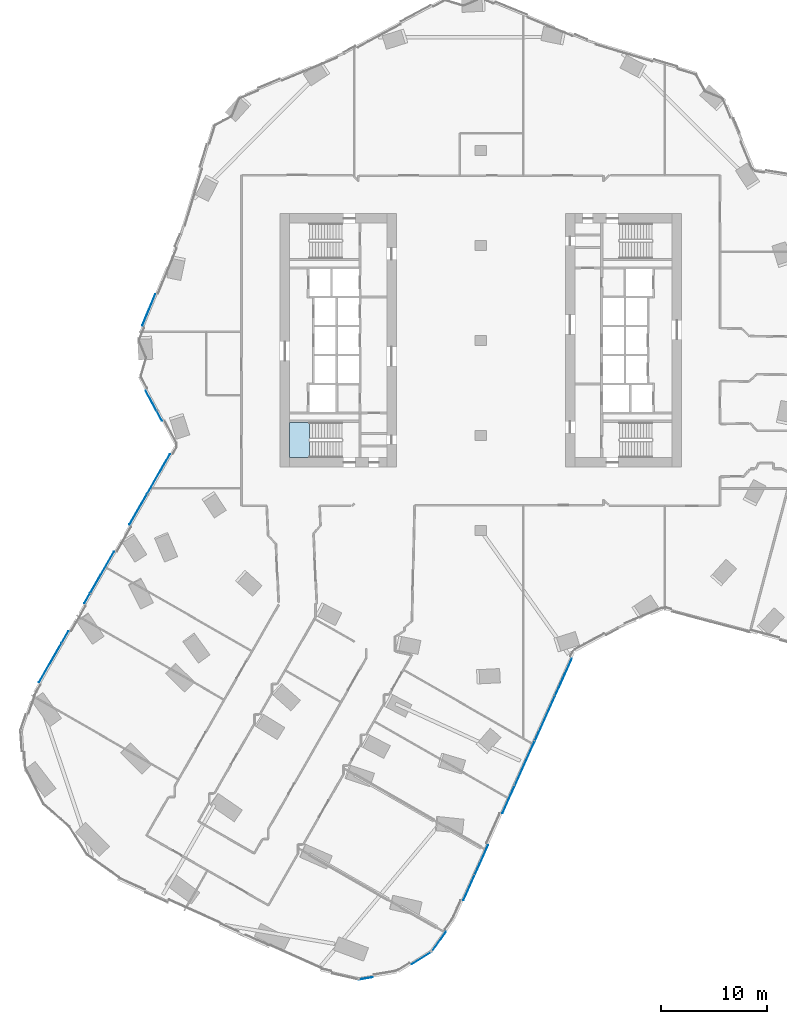
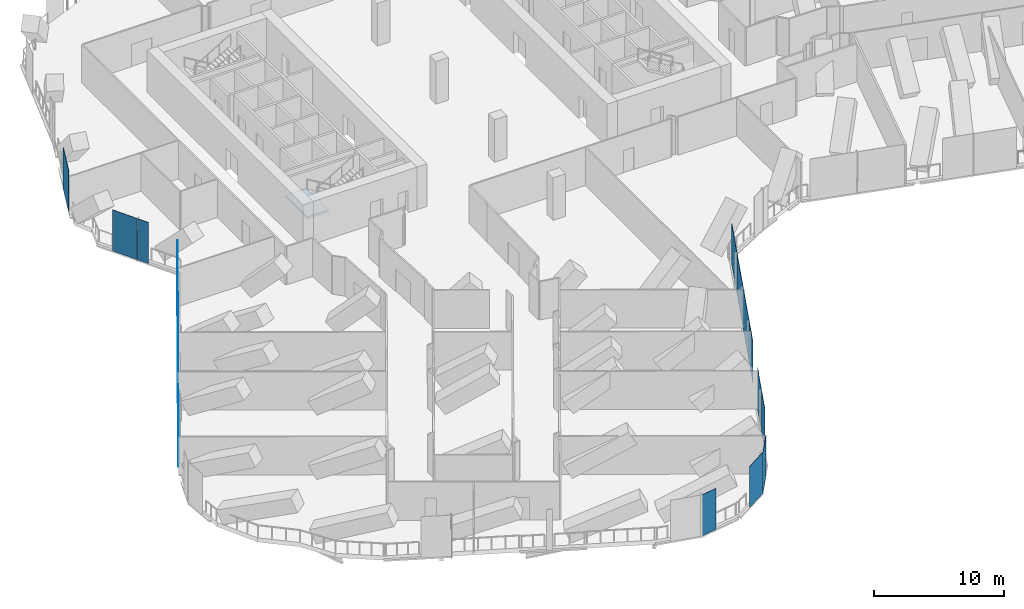
# One storey, part 19 of 37: 18 plates, 1 slab, 8 elements without a shape of their own.
"""IFC4 building model written with IfcOpenShell, lengths in metres."""

from ifc_helpers import new_model, si_unit, direction, frame, origin, origin_2d, place, context, subcontext, project, spatial, polyline, rectangle, outline, extrude, material, layer, layer_set, type_object, element, aggregate, save


model = new_model("IFC4")

# Units and contexts
model_context = context("Model", 3, precision=1e-05, world=origin(), true_north=direction((0.0, 1.0)))
body_context = subcontext(model_context, "Body", "Model", "MODEL_VIEW")
ifc_project = project(units=[si_unit("LENGTHUNIT", "METRE"), si_unit("AREAUNIT", "SQUARE_METRE"), si_unit("VOLUMEUNIT", "CUBIC_METRE"), si_unit("PLANEANGLEUNIT", "RADIAN"), si_unit("MASSUNIT", "GRAM", prefix="KILO")], contexts=[model_context])

# Site, building, storey
site_placement = place(None, origin())
site = spatial("IfcSite", under=ifc_project, at=site_placement, CompositionType="ELEMENT")
building_placement = place(site_placement, origin())
building = spatial("IfcBuilding", under=site, at=building_placement, Name="Orlundy Tower", CompositionType="ELEMENT")
storey_placement = place(building_placement, frame((0.0, 0.0, 119.699951171875)))
storey = spatial("IfcBuildingStorey", under=building, at=storey_placement, Name="L30", CompositionType="ELEMENT", Elevation=119.699951171875)

# Curtain wall, plate
ifc_material_1 = material(Name="Aluminium bronze anodised", Category="aluminium")
curtain_wall_type = type_object("IfcCurtainWallType", Name="CW5 wall", PredefinedType="NOTDEFINED", material=ifc_material_1)
curtain_wall_1_placement = place(storey_placement, origin())
curtain_wall_1 = element("IfcCurtainWall", 1, at=curtain_wall_1_placement, inside=storey, type_object=curtain_wall_type, Name="CW5 run 02", PredefinedType="NOTDEFINED")
ifc_material_2 = material(Name="Tinted glass", Category="glass")
ifc_layer_1 = layer(ifc_material_2, 0.031982421875)
ifc_layer_set_1 = layer_set([ifc_layer_1], Name="CW5 glass panel 32")
plate_type_1 = type_object("IfcPlateType", Name="CW5 glass panel 32", PredefinedType="CURTAIN_PANEL", material=ifc_layer_set_1)
plate_1_placement = place(storey_placement, frame((-31.439208984375, 2.904052734375, -0.259765625), z_axis=(0.0, 0.0, 1.0), x_axis=(0.379977498994, 0.924995729859, 0.0)))
plate_1 = element("IfcPlate", 2, at=plate_1_placement, type_object=plate_type_1, Name="CW5 panel", PredefinedType="CURTAIN_PANEL", context=body_context, shape_type="SweptSolid", body=[
    extrude(rectangle(XDim=3.20361328125, YDim=0.031982421875, at=origin_2d()), origin(), (0.0, 0.0, 1.0), 3.860107421875),
])
aggregate(curtain_wall_1, [plate_1])

# Curtain wall, plates
curtain_wall_2_placement = place(storey_placement, origin())
curtain_wall_2 = element("IfcCurtainWall", 3, at=curtain_wall_2_placement, inside=storey, type_object=curtain_wall_type, Name="CW5 run 030", PredefinedType="NOTDEFINED")
plate_2_placement = place(storey_placement, frame((7.81494140625, -31.886474609375, -0.259765625), z_axis=(0.0, 0.0, 1.0), x_axis=(-0.409405171428, -0.912352676112, 0.0)))
plate_2 = element("IfcPlate", 4, at=plate_2_placement, type_object=plate_type_1, Name="CW5 panel", PredefinedType="CURTAIN_PANEL", context=body_context, shape_type="SweptSolid", body=[
    extrude(rectangle(XDim=3.858154296875, YDim=0.031982421875, at=origin_2d()), origin(), (0.0, 0.0, 1.0), 3.860107421875),
])
plate_3_placement = place(storey_placement, frame((6.067138671875, -35.781494140625, -0.259765625), z_axis=(0.0, 0.0, 1.0), x_axis=(-0.409405171428, -0.912352676112, 0.0)))
plate_3 = element("IfcPlate", 5, at=plate_3_placement, type_object=plate_type_1, Name="CW5 panel", PredefinedType="CURTAIN_PANEL", context=body_context, shape_type="SweptSolid", body=[
    extrude(rectangle(XDim=4.580810546875, YDim=0.031982421875, at=origin_2d()), origin(), (0.0, 0.0, 1.0), 3.860107421875),
])
plate_4_placement = place(storey_placement, frame((2.629150390625, -43.44287109375, -0.259765625), z_axis=(0.0, 0.0, 1.0), x_axis=(-0.409405171428, -0.912352676112, 0.0)))
plate_4 = element("IfcPlate", 6, at=plate_4_placement, type_object=plate_type_1, Name="CW5 panel", PredefinedType="CURTAIN_PANEL", context=body_context, shape_type="SweptSolid", body=[
    extrude(rectangle(XDim=2.8525390625, YDim=0.031982421875, at=origin_2d()), origin(), (0.0, 0.0, 1.0), 3.860107421875),
])
plate_5_placement = place(storey_placement, frame((0.057373046875, -49.174072265625, -0.259765625), z_axis=(0.0, 0.0, 1.0), x_axis=(-0.409405171428, -0.912352676112, 0.0)))
plate_5 = element("IfcPlate", 7, at=plate_5_placement, type_object=plate_type_1, Name="CW5 panel", PredefinedType="CURTAIN_PANEL", context=body_context, shape_type="SweptSolid", body=[
    extrude(rectangle(XDim=3.006591796875, YDim=0.031982421875, at=origin_2d()), origin(), (0.0, 0.0, 1.0), 3.860107421875),
])

# Curtain wall, plate
curtain_wall_3_placement = place(storey_placement, origin())
curtain_wall_3 = element("IfcCurtainWall", 8, at=curtain_wall_3_placement, inside=storey, type_object=curtain_wall_type, Name="CW5 run 031", PredefinedType="NOTDEFINED")
plate_6_placement = place(storey_placement, frame((-3.985107421875, -56.938720703125, -0.259765625), z_axis=(0.0, 0.0, 1.0), x_axis=(-0.579476006313, -0.814989299383, 0.0)))
plate_6 = element("IfcPlate", 9, at=plate_6_placement, type_object=plate_type_1, Name="CW5 panel", PredefinedType="CURTAIN_PANEL", context=body_context, shape_type="SweptSolid", body=[
    extrude(rectangle(XDim=2.299072265625, YDim=0.031982421875, at=origin_2d()), origin(), (0.0, 0.0, 1.0), 3.860107421875),
])
aggregate(curtain_wall_3, [plate_6])

curtain_wall_4_placement = place(storey_placement, origin())
curtain_wall_4 = element("IfcCurtainWall", 10, at=curtain_wall_4_placement, inside=storey, type_object=curtain_wall_type, Name="CW5 run 032", PredefinedType="NOTDEFINED")
plate_7_placement = place(storey_placement, frame((-5.59326171875, -58.466064453125, -0.259765625), z_axis=(0.0, 0.0, 1.0), x_axis=(-0.847285276564, -0.531138080086, 0.0)))
plate_7 = element("IfcPlate", 11, at=plate_7_placement, type_object=plate_type_1, Name="CW5 panel", PredefinedType="CURTAIN_PANEL", context=body_context, shape_type="SweptSolid", body=[
    extrude(rectangle(XDim=2.2236328125, YDim=0.031982421875, at=origin_2d()), origin(), (0.0, 0.0, 1.0), 3.860107421875),
])
aggregate(curtain_wall_4, [plate_7])

# Curtain wall, plates
curtain_wall_5_placement = place(storey_placement, origin())
curtain_wall_5 = element("IfcCurtainWall", 12, at=curtain_wall_5_placement, inside=storey, type_object=curtain_wall_type, Name="CW5 run 042", PredefinedType="NOTDEFINED")
plate_8_placement = place(storey_placement, frame((-39.362060546875, -28.065185546875, -0.259765625), z_axis=(0.0, 0.0, 1.0), x_axis=(0.497473332708, 0.867479269634, 0.0)))
plate_8 = element("IfcPlate", 13, at=plate_8_placement, type_object=plate_type_1, Name="CW5 panel", PredefinedType="CURTAIN_PANEL", context=body_context, shape_type="SweptSolid", body=[
    extrude(rectangle(XDim=1.251953125, YDim=0.031982421875, at=origin_2d()), origin(), (0.0, 0.0, 1.0), 3.860107421875),
])
plate_9_placement = place(storey_placement, frame((-37.27001953125, -24.417236328125, -0.259765625), z_axis=(0.0, 0.0, 1.0), x_axis=(0.497473332708, 0.867479269634, 0.0)))
plate_9 = element("IfcPlate", 14, at=plate_9_placement, type_object=plate_type_1, Name="CW5 panel", PredefinedType="CURTAIN_PANEL", context=body_context, shape_type="SweptSolid", body=[
    extrude(rectangle(XDim=1.079833984375, YDim=0.031982421875, at=origin_2d()), origin(), (0.0, 0.0, 1.0), 3.860107421875),
])
plate_10_placement = place(storey_placement, frame((-35.856201171875, -21.951904296875, -0.259765625), z_axis=(0.0, 0.0, 1.0), x_axis=(0.497473332708, 0.867479269634, 0.0)))
plate_10 = element("IfcPlate", 15, at=plate_10_placement, type_object=plate_type_1, Name="CW5 panel", PredefinedType="CURTAIN_PANEL", context=body_context, shape_type="SweptSolid", body=[
    extrude(rectangle(XDim=4.50439453125, YDim=0.031982421875, at=origin_2d()), origin(), (0.0, 0.0, 1.0), 3.860107421875),
])
plate_11_placement = place(storey_placement, frame((-30.51123046875, -12.631591796875, -0.259765625), z_axis=(0.0, 0.0, 1.0), x_axis=(0.497473332708, 0.867479269634, 0.0)))
plate_11 = element("IfcPlate", 16, at=plate_11_placement, type_object=plate_type_1, Name="CW5 panel", PredefinedType="CURTAIN_PANEL", context=body_context, shape_type="SweptSolid", body=[
    extrude(rectangle(XDim=4.30859375, YDim=0.031982421875, at=origin_2d()), origin(), (0.0, 0.0, 1.0), 3.860107421875),
])

# Curtain wall, plate
curtain_wall_6_placement = place(storey_placement, origin())
curtain_wall_6 = element("IfcCurtainWall", 17, at=curtain_wall_6_placement, inside=storey, type_object=curtain_wall_type, Name="CW5 run 043", PredefinedType="NOTDEFINED")
plate_12_placement = place(storey_placement, frame((-30.43359375, -7.15625, -0.259765625), z_axis=(0.0, 0.0, 1.0), x_axis=(-0.474639617623, 0.880180227785, 0.0)))
plate_12 = element("IfcPlate", 18, at=plate_12_placement, type_object=plate_type_1, Name="CW5 panel", PredefinedType="CURTAIN_PANEL", context=body_context, shape_type="SweptSolid", body=[
    extrude(rectangle(XDim=1.002685546875, YDim=0.031982421875, at=origin_2d()), origin(), (0.0, 0.0, 1.0), 3.860107421875),
])

# Plate
ifc_material_3 = material(Name="Tinted glass", Category="glass")
ifc_layer_2 = layer(ifc_material_3, 0.031982421875)
ifc_layer_set_2 = layer_set([ifc_layer_2], Name="CW5 vent panel 32")
plate_type_2 = type_object("IfcPlateType", Name="CW5 vent panel 32", PredefinedType="CURTAIN_PANEL", material=ifc_layer_set_2)
plate_13_placement = place(storey_placement, frame((4.17138671875, -40.00634765625, -0.259765625), z_axis=(0.0, 0.0, 1.0), x_axis=(-0.409405171428, -0.912352676112, 0.0)))
plate_13 = element("IfcPlate", 19, at=plate_13_placement, type_object=plate_type_2, Name="CW5 panel", PredefinedType="CURTAIN_PANEL", context=body_context, shape_type="SweptSolid", body=[
    extrude(rectangle(XDim=4.580810546875, YDim=0.031982421875, at=origin_2d()), origin(), (0.0, 0.0, 1.0), 3.860107421875),
])

plate_14_placement = place(storey_placement, frame((-1.1162109375, -51.78955078125, -0.259765625), z_axis=(0.0, 0.0, 1.0), x_axis=(-0.409405171428, -0.912352676112, 0.0)))
plate_14 = element("IfcPlate", 20, at=plate_14_placement, type_object=plate_type_2, Name="CW5 panel", PredefinedType="CURTAIN_PANEL", context=body_context, shape_type="SweptSolid", body=[
    extrude(rectangle(XDim=2.626708984375, YDim=0.031982421875, at=origin_2d()), origin(), (0.0, 0.0, 1.0), 3.860107421875),
])

aggregate(curtain_wall_2, [plate_2, plate_3, plate_13, plate_4, plate_5, plate_14])

# Curtain wall, plate
curtain_wall_7_placement = place(storey_placement, origin())
curtain_wall_7 = element("IfcCurtainWall", 21, at=curtain_wall_7_placement, inside=storey, type_object=curtain_wall_type, Name="CW5 run 033", PredefinedType="NOTDEFINED")
plate_15_placement = place(storey_placement, frame((-10.903076171875, -60.39794921875, -0.259765625), z_axis=(0.0, 0.0, 1.0), x_axis=(-0.986049086137, -0.166454797856, 0.0)))
plate_15 = element("IfcPlate", 22, at=plate_15_placement, type_object=plate_type_2, Name="CW5 panel", PredefinedType="CURTAIN_PANEL", context=body_context, shape_type="SweptSolid", body=[
    extrude(rectangle(XDim=1.375732421875, YDim=0.031982421875, at=origin_2d()), origin(), (0.0, 0.0, 1.0), 3.860107421875),
])
aggregate(curtain_wall_7, [plate_15])

# Plate
plate_16_placement = place(storey_placement, frame((-40.760986328125, -30.504638671875, -0.259765625), z_axis=(0.0, 0.0, 1.0), x_axis=(0.497473332708, 0.867479269634, 0.0)))
plate_16 = element("IfcPlate", 23, at=plate_16_placement, type_object=plate_type_2, Name="CW5 panel", PredefinedType="CURTAIN_PANEL", context=body_context, shape_type="SweptSolid", body=[
    extrude(rectangle(XDim=4.272216796875, YDim=0.031982421875, at=origin_2d()), origin(), (0.0, 0.0, 1.0), 3.860107421875),
])

plate_17_placement = place(storey_placement, frame((-32.434814453125, -15.985595703125, -0.259765625), z_axis=(0.0, 0.0, 1.0), x_axis=(0.497473332708, 0.867479269634, 0.0)))
plate_17 = element("IfcPlate", 24, at=plate_17_placement, type_object=plate_type_2, Name="CW5 panel", PredefinedType="CURTAIN_PANEL", context=body_context, shape_type="SweptSolid", body=[
    extrude(rectangle(XDim=3.32421875, YDim=0.031982421875, at=origin_2d()), origin(), (0.0, 0.0, 1.0), 3.860107421875),
])

aggregate(curtain_wall_5, [plate_16, plate_8, plate_9, plate_10, plate_17, plate_11])

plate_18_placement = place(storey_placement, frame((-31.21337890625, -5.710205078125, -0.259765625), z_axis=(0.0, 0.0, 1.0), x_axis=(-0.474639617623, 0.880180227785, 0.0)))
plate_18 = element("IfcPlate", 25, at=plate_18_placement, type_object=plate_type_2, Name="CW5 panel", PredefinedType="CURTAIN_PANEL", context=body_context, shape_type="SweptSolid", body=[
    extrude(rectangle(XDim=2.182861328125, YDim=0.031982421875, at=origin_2d()), origin(), (0.0, 0.0, 1.0), 3.860107421875),
])

aggregate(curtain_wall_6, [plate_12, plate_18])

# Stair, slab
ifc_material_4 = material(Name="Concrete C50/60", Category="concrete")
stair_type = type_object("IfcStairType", Name="Exit Stair 24 risers", PredefinedType="HALF_TURN_STAIR", material=ifc_material_4)
stair_placement = place(storey_placement, origin())
stair = element("IfcStair", 26, at=stair_placement, inside=storey, type_object=stair_type, Name="L30 Exit Stair ST-W2", PredefinedType="HALF_TURN_STAIR")
ifc_material_5 = material(Name="Concrete C50/60", Category="concrete")
ifc_layer_3 = layer(ifc_material_5, 0.199951171875)
ifc_layer_set_3 = layer_set([ifc_layer_3], Name="Exit Stair Landing")
slab_type = type_object("IfcSlabType", Name="Exit Stair Landing", PredefinedType="LANDING", material=ifc_layer_set_3)
slab_placement = place(storey_placement, frame((0.0, 0.0, 1.800048828125)))
slab = element("IfcSlab", 27, at=slab_placement, type_object=slab_type, Name="ST-W2 landing 1", PredefinedType="LANDING", context=body_context, shape_type="SweptSolid", body=[
    extrude(outline(polyline([(-16.219970703125, -7.75), (-18.10009765625, -7.75), (-18.10009765625, -11.10009765625), (-16.219970703125, -11.10009765625), (-16.219970703125, -7.75)])), origin(), (0.0, 0.0, 1.0), 0.199951171875),
])
aggregate(stair, [slab])

save(model, "model.ifc")
